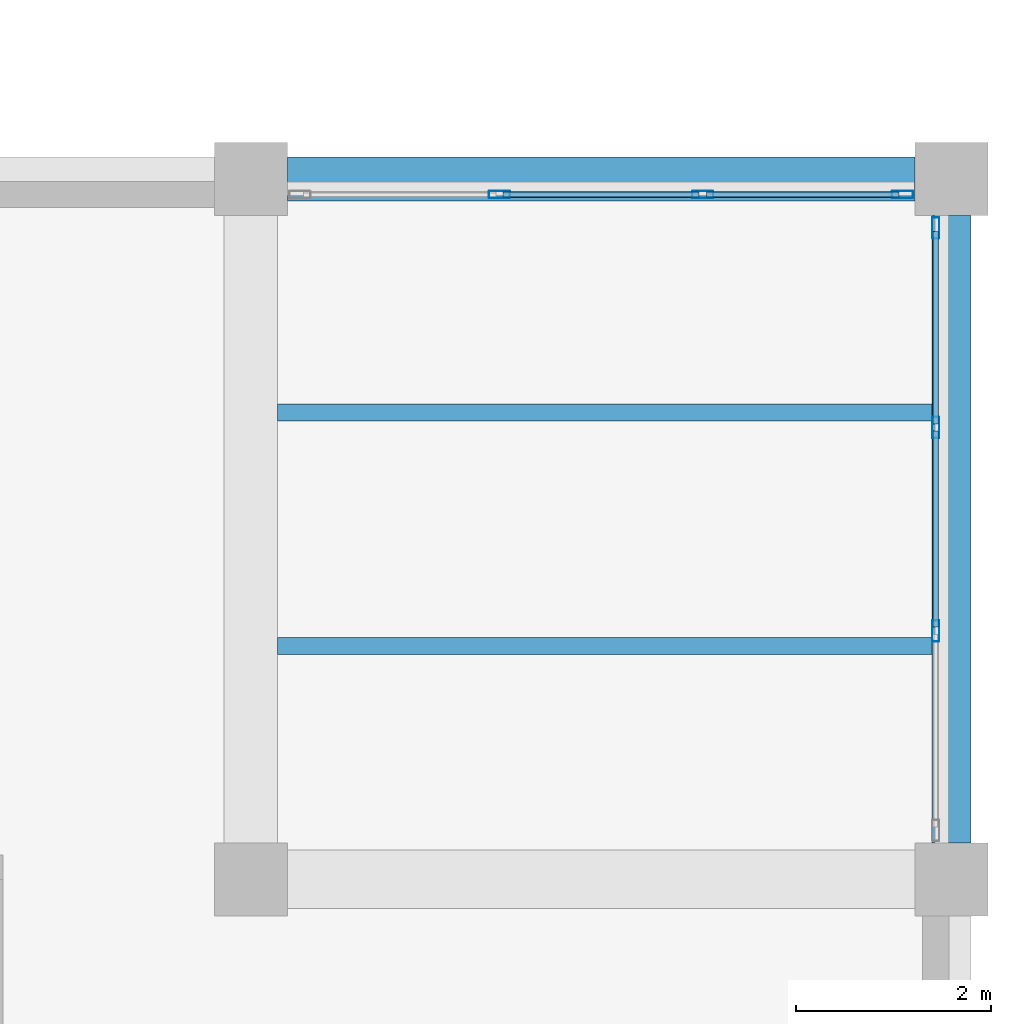
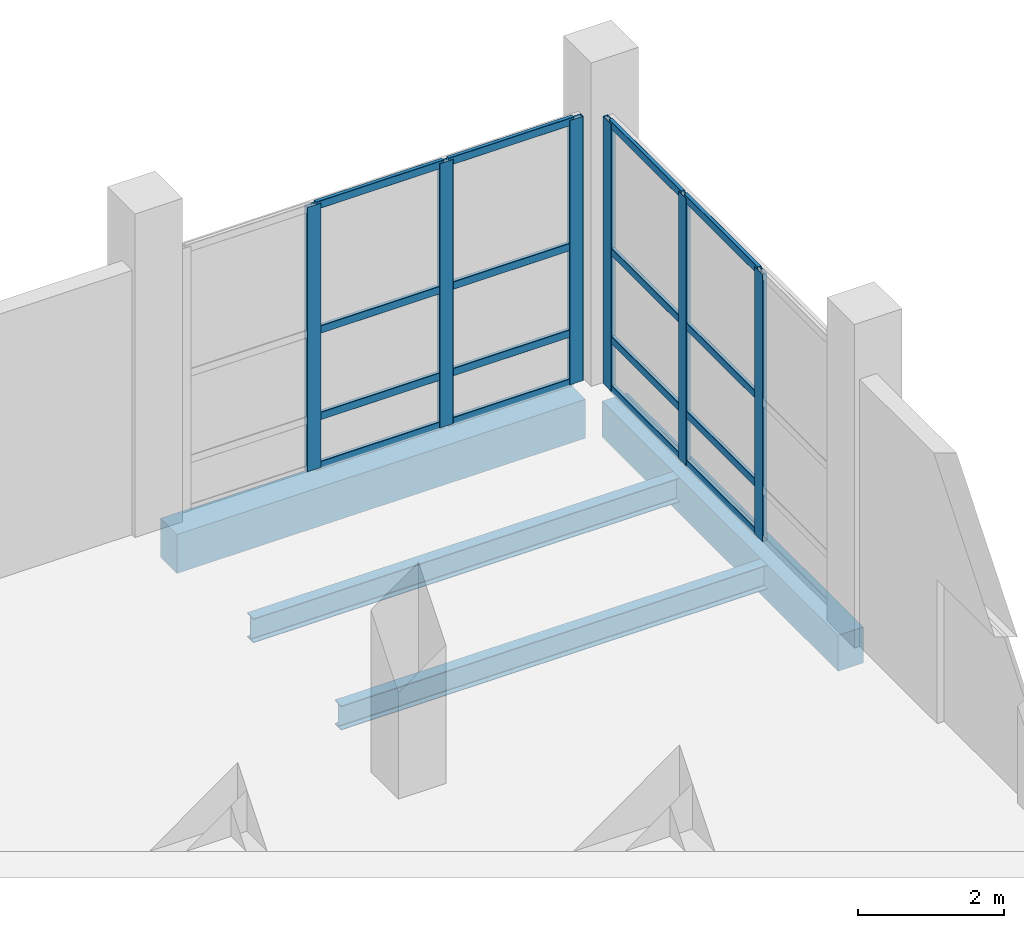
# One storey, part 84 of 137: 22 members, 4 beams, 2 elements without a shape of their own.
"""IFC4 building model written with IfcOpenShell, lengths in metres."""

from ifc_helpers import new_model, si_unit, direction, frame, origin, origin_2d, place, context, subcontext, project, spatial, rectangle, hollow_rectangle, i_section, extrude, material, material_profile, profile_set, type_object, element, aggregate, save


model = new_model("IFC4")

# Units and contexts
model_context = context("Model", 3, precision=1e-05, world=origin(), true_north=direction((0.0, 1.0)))
body_context = subcontext(model_context, "Body", "Model", "MODEL_VIEW")
ifc_project = project(units=[si_unit("LENGTHUNIT", "METRE"), si_unit("AREAUNIT", "SQUARE_METRE"), si_unit("VOLUMEUNIT", "CUBIC_METRE"), si_unit("PLANEANGLEUNIT", "RADIAN"), si_unit("MASSUNIT", "GRAM", prefix="KILO")], contexts=[model_context])

# Site, building, storey
site_placement = place(None, origin())
site = spatial("IfcSite", under=ifc_project, at=site_placement, CompositionType="ELEMENT")
building_placement = place(site_placement, origin())
building = spatial("IfcBuilding", under=site, at=building_placement, Name="Kalmorath City Hall", CompositionType="ELEMENT")
storey_placement = place(building_placement, origin())
storey = spatial("IfcBuildingStorey", under=building, at=storey_placement, Name="L00", CompositionType="ELEMENT", Elevation=0.0)

# Beams
ifc_material_1 = material(Name="Concrete C40/50", Category="concrete")
ifc_material_profile_1 = material_profile(ifc_material_1, rectangle(XDim=0.39990234375, YDim=0.60009765625, at=origin_2d()), Name="RC-BM-400X600")
ifc_profile_set_1 = profile_set([ifc_material_profile_1], Name="Concrete C40/50")
beam_type_1 = type_object("IfcBeamType", Name="Concrete edge beam 400x600", PredefinedType="SPANDREL", material=ifc_profile_set_1)
beam_1_placement = place(storey_placement, frame((165.60009765625, 93.97509765625, -0.60400390625), z_axis=(0.0, 1.0, 0.0), x_axis=(-1.0, 0.0, 0.0)))
element("IfcBeam", 1, at=beam_1_placement, inside=storey, type_object=beam_type_1, Name="L00 girder CB6 Y24/14-15", PredefinedType="SPANDREL", context=body_context, shape_type="SweptSolid", body=[
    extrude(rectangle(XDim=0.39990234375, YDim=0.60009765625, at=origin_2d()), origin(), (0.0, 0.0, 1.0), 6.449951171875),
])
ifc_material_2 = material(Name="Concrete C40/50", Category="concrete")
ifc_material_profile_2 = material_profile(ifc_material_2, rectangle(XDim=0.449951171875, YDim=0.64990234375, at=origin_2d()), Name="RC-BM-450X650")
ifc_profile_set_2 = profile_set([ifc_material_profile_2], Name="Concrete C40/50")
beam_type_2 = type_object("IfcBeamType", Name="Concrete spandrel beam 450x650", PredefinedType="SPANDREL", material=ifc_profile_set_2)
beam_2_placement = place(storey_placement, frame((158.77490234375, 100.800048828125, -0.62890625), z_axis=(1.0, 0.0, 0.0), x_axis=(0.0, 1.0, 0.0)))
element("IfcBeam", 2, at=beam_2_placement, inside=storey, type_object=beam_type_2, Name="L00 girder CB5 X23-24/15", PredefinedType="SPANDREL", context=body_context, shape_type="SweptSolid", body=[
    extrude(rectangle(XDim=0.449951171875, YDim=0.64990234375, at=origin_2d()), origin(), (0.0, 0.0, 1.0), 6.4501953125),
])

# Curtain wall, members
ifc_material_3 = material(Name="Anodised aluminium and laminated glass", Category="aluminium")
curtain_wall_type_1 = type_object("IfcCurtainWallType", Name="Unitised hurricane curtain wall 6270x4411 M1850", PredefinedType="NOTDEFINED", material=ifc_material_3)
curtain_wall_1_placement = place(storey_placement, origin())
curtain_wall_1 = element("IfcCurtainWall", 3, at=curtain_wall_1_placement, inside=storey, type_object=curtain_wall_type_1, Name="L00 curtain wall CW-63X44M18 #4", PredefinedType="NOTDEFINED")
ifc_material_4 = material(Name="Anodised aluminium framing", Category="aluminium")
ifc_material_profile_3 = material_profile(ifc_material_4, hollow_rectangle(XDim=0.06005859375, YDim=0.1298828125, WallThickness=0.00341796875, InnerFilletRadius=0.00341796875, OuterFilletRadius=0.007080078125, at=origin_2d()), Name="ALU-TRN-130X60X3.5")
ifc_profile_set_3 = profile_set([ifc_material_profile_3], Name="Anodised aluminium framing")
member_type_1 = type_object("IfcMemberType", Name="Curtain-wall courtyard transom 130x60", PredefinedType="USERDEFINED", material=ifc_profile_set_3)
member_1_placement = place(storey_placement, frame((160.992431640625, 100.639892578125, 0.030029296875), z_axis=(1.0, 0.0, 0.0), x_axis=(0.0, 1.0, 0.0)))
member_1 = element("IfcMember", 4, at=member_1_placement, type_object=member_type_1, Name="CW-63X44M18 transom 2.1", ObjectType="TRANSOM", PredefinedType="USERDEFINED", context=body_context, shape_type="SweptSolid", body=[
    extrude(hollow_rectangle(XDim=0.06005859375, YDim=0.1298828125, WallThickness=0.00341796875, InnerFilletRadius=0.00341796875, OuterFilletRadius=0.007080078125, at=origin_2d()), origin(), (0.0, 0.0, 1.0), 2.01513671875),
])
member_2_placement = place(storey_placement, frame((160.992431640625, 100.639892578125, 0.85009765625), z_axis=(1.0, 0.0, 0.0), x_axis=(0.0, 1.0, 0.0)))
member_2 = element("IfcMember", 5, at=member_2_placement, type_object=member_type_1, Name="CW-63X44M18 transom 2.2", ObjectType="TRANSOM", PredefinedType="USERDEFINED", context=body_context, shape_type="SweptSolid", body=[
    extrude(hollow_rectangle(XDim=0.06005859375, YDim=0.1298828125, WallThickness=0.00341796875, InnerFilletRadius=0.00341796875, OuterFilletRadius=0.007080078125, at=origin_2d()), origin(), (0.0, 0.0, 1.0), 2.01513671875),
])
member_3_placement = place(storey_placement, frame((160.992431640625, 100.639892578125, 2.2939453125), z_axis=(1.0, 0.0, 0.0), x_axis=(0.0, 1.0, 0.0)))
member_3 = element("IfcMember", 6, at=member_3_placement, type_object=member_type_1, Name="CW-63X44M18 transom 2.3", ObjectType="TRANSOM", PredefinedType="USERDEFINED", context=body_context, shape_type="SweptSolid", body=[
    extrude(hollow_rectangle(XDim=0.06005859375, YDim=0.1298828125, WallThickness=0.00341796875, InnerFilletRadius=0.00341796875, OuterFilletRadius=0.007080078125, at=origin_2d()), origin(), (0.0, 0.0, 1.0), 2.01513671875),
])
member_4_placement = place(storey_placement, frame((160.992431640625, 100.639892578125, 4.381103515625), z_axis=(1.0, 0.0, 0.0), x_axis=(0.0, 1.0, 0.0)))
member_4 = element("IfcMember", 7, at=member_4_placement, type_object=member_type_1, Name="CW-63X44M18 transom 2.4", ObjectType="TRANSOM", PredefinedType="USERDEFINED", context=body_context, shape_type="SweptSolid", body=[
    extrude(hollow_rectangle(XDim=0.06005859375, YDim=0.1298828125, WallThickness=0.00341796875, InnerFilletRadius=0.00341796875, OuterFilletRadius=0.007080078125, at=origin_2d()), origin(), (0.0, 0.0, 1.0), 2.01513671875),
])
member_5_placement = place(storey_placement, frame((163.08251953125, 100.639892578125, 0.030029296875), z_axis=(1.0, 0.0, 0.0), x_axis=(0.0, 1.0, 0.0)))
member_5 = element("IfcMember", 8, at=member_5_placement, type_object=member_type_1, Name="CW-63X44M18 transom 3.1", ObjectType="TRANSOM", PredefinedType="USERDEFINED", context=body_context, shape_type="SweptSolid", body=[
    extrude(hollow_rectangle(XDim=0.06005859375, YDim=0.1298828125, WallThickness=0.00341796875, InnerFilletRadius=0.00341796875, OuterFilletRadius=0.007080078125, at=origin_2d()), origin(), (0.0, 0.0, 1.0), 1.9775390625),
])
member_6_placement = place(storey_placement, frame((163.08251953125, 100.639892578125, 0.85009765625), z_axis=(1.0, 0.0, 0.0), x_axis=(0.0, 1.0, 0.0)))
member_6 = element("IfcMember", 9, at=member_6_placement, type_object=member_type_1, Name="CW-63X44M18 transom 3.2", ObjectType="TRANSOM", PredefinedType="USERDEFINED", context=body_context, shape_type="SweptSolid", body=[
    extrude(hollow_rectangle(XDim=0.06005859375, YDim=0.1298828125, WallThickness=0.00341796875, InnerFilletRadius=0.00341796875, OuterFilletRadius=0.007080078125, at=origin_2d()), origin(), (0.0, 0.0, 1.0), 1.9775390625),
])
member_7_placement = place(storey_placement, frame((163.08251953125, 100.639892578125, 2.2939453125), z_axis=(1.0, 0.0, 0.0), x_axis=(0.0, 1.0, 0.0)))
member_7 = element("IfcMember", 10, at=member_7_placement, type_object=member_type_1, Name="CW-63X44M18 transom 3.3", ObjectType="TRANSOM", PredefinedType="USERDEFINED", context=body_context, shape_type="SweptSolid", body=[
    extrude(hollow_rectangle(XDim=0.06005859375, YDim=0.1298828125, WallThickness=0.00341796875, InnerFilletRadius=0.00341796875, OuterFilletRadius=0.007080078125, at=origin_2d()), origin(), (0.0, 0.0, 1.0), 1.9775390625),
])
member_8_placement = place(storey_placement, frame((163.08251953125, 100.639892578125, 4.381103515625), z_axis=(1.0, 0.0, 0.0), x_axis=(0.0, 1.0, 0.0)))
member_8 = element("IfcMember", 11, at=member_8_placement, type_object=member_type_1, Name="CW-63X44M18 transom 3.4", ObjectType="TRANSOM", PredefinedType="USERDEFINED", context=body_context, shape_type="SweptSolid", body=[
    extrude(hollow_rectangle(XDim=0.06005859375, YDim=0.1298828125, WallThickness=0.00341796875, InnerFilletRadius=0.00341796875, OuterFilletRadius=0.007080078125, at=origin_2d()), origin(), (0.0, 0.0, 1.0), 1.9775390625),
])

ifc_material_5 = material(Name="Anodised aluminium and laminated glass", Category="aluminium")
curtain_wall_type_2 = type_object("IfcCurtainWallType", Name="Unitised hurricane curtain wall 6270x4461 M1850", PredefinedType="NOTDEFINED", material=ifc_material_5)
curtain_wall_2_placement = place(storey_placement, origin())
curtain_wall_2 = element("IfcCurtainWall", 12, at=curtain_wall_2_placement, inside=storey, type_object=curtain_wall_type_2, Name="L00 curtain wall CW-63X45M18 #5", PredefinedType="NOTDEFINED")
member_9_placement = place(storey_placement, frame((165.43994140625, 100.260009765625, 0.030029296875), z_axis=(0.0, -1.0, 0.0), x_axis=(1.0, 0.0, 0.0)))
member_9 = element("IfcMember", 13, at=member_9_placement, type_object=member_type_1, Name="CW-63X45M18 transom 1.1", ObjectType="TRANSOM", PredefinedType="USERDEFINED", context=body_context, shape_type="SweptSolid", body=[
    extrude(hollow_rectangle(XDim=0.06005859375, YDim=0.1298828125, WallThickness=0.00341796875, InnerFilletRadius=0.00341796875, OuterFilletRadius=0.007080078125, at=origin_2d()), origin(), (0.0, 0.0, 1.0), 1.9775390625),
])
member_10_placement = place(storey_placement, frame((165.43994140625, 100.260009765625, 0.85009765625), z_axis=(0.0, -1.0, 0.0), x_axis=(1.0, 0.0, 0.0)))
member_10 = element("IfcMember", 14, at=member_10_placement, type_object=member_type_1, Name="CW-63X45M18 transom 1.2", ObjectType="TRANSOM", PredefinedType="USERDEFINED", context=body_context, shape_type="SweptSolid", body=[
    extrude(hollow_rectangle(XDim=0.06005859375, YDim=0.1298828125, WallThickness=0.00341796875, InnerFilletRadius=0.00341796875, OuterFilletRadius=0.007080078125, at=origin_2d()), origin(), (0.0, 0.0, 1.0), 1.9775390625),
])
member_11_placement = place(storey_placement, frame((165.43994140625, 100.260009765625, 2.320068359375), z_axis=(0.0, -1.0, 0.0), x_axis=(1.0, 0.0, 0.0)))
member_11 = element("IfcMember", 15, at=member_11_placement, type_object=member_type_1, Name="CW-63X45M18 transom 1.3", ObjectType="TRANSOM", PredefinedType="USERDEFINED", context=body_context, shape_type="SweptSolid", body=[
    extrude(hollow_rectangle(XDim=0.06005859375, YDim=0.1298828125, WallThickness=0.00341796875, InnerFilletRadius=0.00341796875, OuterFilletRadius=0.007080078125, at=origin_2d()), origin(), (0.0, 0.0, 1.0), 1.9775390625),
])
member_12_placement = place(storey_placement, frame((165.43994140625, 100.260009765625, 4.430908203125), z_axis=(0.0, -1.0, 0.0), x_axis=(1.0, 0.0, 0.0)))
member_12 = element("IfcMember", 16, at=member_12_placement, type_object=member_type_1, Name="CW-63X45M18 transom 1.4", ObjectType="TRANSOM", PredefinedType="USERDEFINED", context=body_context, shape_type="SweptSolid", body=[
    extrude(hollow_rectangle(XDim=0.06005859375, YDim=0.1298828125, WallThickness=0.00341796875, InnerFilletRadius=0.00341796875, OuterFilletRadius=0.007080078125, at=origin_2d()), origin(), (0.0, 0.0, 1.0), 1.9775390625),
])
member_13_placement = place(storey_placement, frame((165.43994140625, 98.20751953125, 0.030029296875), z_axis=(0.0, -1.0, 0.0), x_axis=(1.0, 0.0, 0.0)))
member_13 = element("IfcMember", 17, at=member_13_placement, type_object=member_type_1, Name="CW-63X45M18 transom 2.1", ObjectType="TRANSOM", PredefinedType="USERDEFINED", context=body_context, shape_type="SweptSolid", body=[
    extrude(hollow_rectangle(XDim=0.06005859375, YDim=0.1298828125, WallThickness=0.00341796875, InnerFilletRadius=0.00341796875, OuterFilletRadius=0.007080078125, at=origin_2d()), origin(), (0.0, 0.0, 1.0), 2.01513671875),
])
member_14_placement = place(storey_placement, frame((165.43994140625, 98.20751953125, 0.85009765625), z_axis=(0.0, -1.0, 0.0), x_axis=(1.0, 0.0, 0.0)))
member_14 = element("IfcMember", 18, at=member_14_placement, type_object=member_type_1, Name="CW-63X45M18 transom 2.2", ObjectType="TRANSOM", PredefinedType="USERDEFINED", context=body_context, shape_type="SweptSolid", body=[
    extrude(hollow_rectangle(XDim=0.06005859375, YDim=0.1298828125, WallThickness=0.00341796875, InnerFilletRadius=0.00341796875, OuterFilletRadius=0.007080078125, at=origin_2d()), origin(), (0.0, 0.0, 1.0), 2.01513671875),
])
member_15_placement = place(storey_placement, frame((165.43994140625, 98.20751953125, 2.320068359375), z_axis=(0.0, -1.0, 0.0), x_axis=(1.0, 0.0, 0.0)))
member_15 = element("IfcMember", 19, at=member_15_placement, type_object=member_type_1, Name="CW-63X45M18 transom 2.3", ObjectType="TRANSOM", PredefinedType="USERDEFINED", context=body_context, shape_type="SweptSolid", body=[
    extrude(hollow_rectangle(XDim=0.06005859375, YDim=0.1298828125, WallThickness=0.00341796875, InnerFilletRadius=0.00341796875, OuterFilletRadius=0.007080078125, at=origin_2d()), origin(), (0.0, 0.0, 1.0), 2.01513671875),
])
member_16_placement = place(storey_placement, frame((165.43994140625, 98.20751953125, 4.430908203125), z_axis=(0.0, -1.0, 0.0), x_axis=(1.0, 0.0, 0.0)))
member_16 = element("IfcMember", 20, at=member_16_placement, type_object=member_type_1, Name="CW-63X45M18 transom 2.4", ObjectType="TRANSOM", PredefinedType="USERDEFINED", context=body_context, shape_type="SweptSolid", body=[
    extrude(hollow_rectangle(XDim=0.06005859375, YDim=0.1298828125, WallThickness=0.00341796875, InnerFilletRadius=0.00341796875, OuterFilletRadius=0.007080078125, at=origin_2d()), origin(), (0.0, 0.0, 1.0), 2.01513671875),
])

# Member
ifc_material_6 = material(Name="Anodised aluminium framing", Category="aluminium")
ifc_material_profile_4 = material_profile(ifc_material_6, hollow_rectangle(XDim=0.074951171875, YDim=0.219970703125, WallThickness=0.00390625, InnerFilletRadius=0.00390625, OuterFilletRadius=0.008056640625, at=origin_2d()), Name="ALU-MUL-220X75X4")
ifc_profile_set_4 = profile_set([ifc_material_profile_4], Name="Anodised aluminium framing")
member_type_2 = type_object("IfcMemberType", Name="Curtain-wall primary mullion 220x75", PredefinedType="MULLION", material=ifc_profile_set_4)
member_17_placement = place(storey_placement, frame((160.955078125, 100.639892578125, 0.0), z_axis=(0.0, 0.0, 1.0), x_axis=(0.0, 1.0, 0.0)))
member_17 = element("IfcMember", 21, at=member_17_placement, type_object=member_type_2, Name="CW-63X44M18 mullion 2", PredefinedType="MULLION", context=body_context, shape_type="SweptSolid", body=[
    extrude(hollow_rectangle(XDim=0.074951171875, YDim=0.219970703125, WallThickness=0.00390625, InnerFilletRadius=0.00390625, OuterFilletRadius=0.008056640625, at=origin_2d()), origin(), (0.0, 0.0, 1.0), 4.410888671875),
])

member_18_placement = place(storey_placement, frame((163.044921875, 100.639892578125, 0.0), z_axis=(0.0, 0.0, 1.0), x_axis=(0.0, 1.0, 0.0)))
member_18 = element("IfcMember", 22, at=member_18_placement, type_object=member_type_2, Name="CW-63X44M18 mullion 3", PredefinedType="MULLION", context=body_context, shape_type="SweptSolid", body=[
    extrude(hollow_rectangle(XDim=0.074951171875, YDim=0.219970703125, WallThickness=0.00390625, InnerFilletRadius=0.00390625, OuterFilletRadius=0.008056640625, at=origin_2d()), origin(), (0.0, 0.0, 1.0), 4.410888671875),
])

member_19_placement = place(storey_placement, frame((165.097412109375, 100.639892578125, 0.0), z_axis=(0.0, 0.0, 1.0), x_axis=(0.0, 1.0, 0.0)))
member_19 = element("IfcMember", 23, at=member_19_placement, type_object=member_type_2, Name="CW-63X44M18 mullion 4", PredefinedType="MULLION", context=body_context, shape_type="SweptSolid", body=[
    extrude(hollow_rectangle(XDim=0.074951171875, YDim=0.219970703125, WallThickness=0.00390625, InnerFilletRadius=0.00390625, OuterFilletRadius=0.008056640625, at=origin_2d()), origin(), (0.0, 0.0, 1.0), 4.410888671875),
])

aggregate(curtain_wall_1, [member_17, member_18, member_19, member_1, member_2, member_3, member_4, member_5, member_6, member_7, member_8])

member_20_placement = place(storey_placement, frame((165.43994140625, 100.297607421875, 0.0), z_axis=(0.0, 0.0, 1.0), x_axis=(1.0, 0.0, 0.0)))
member_20 = element("IfcMember", 24, at=member_20_placement, type_object=member_type_2, Name="CW-63X45M18 mullion 1", PredefinedType="MULLION", context=body_context, shape_type="SweptSolid", body=[
    extrude(hollow_rectangle(XDim=0.074951171875, YDim=0.219970703125, WallThickness=0.00390625, InnerFilletRadius=0.00390625, OuterFilletRadius=0.008056640625, at=origin_2d()), origin(), (0.0, 0.0, 1.0), 4.4609375),
])

member_21_placement = place(storey_placement, frame((165.43994140625, 98.2451171875, 0.0), z_axis=(0.0, 0.0, 1.0), x_axis=(1.0, 0.0, 0.0)))
member_21 = element("IfcMember", 25, at=member_21_placement, type_object=member_type_2, Name="CW-63X45M18 mullion 2", PredefinedType="MULLION", context=body_context, shape_type="SweptSolid", body=[
    extrude(hollow_rectangle(XDim=0.074951171875, YDim=0.219970703125, WallThickness=0.00390625, InnerFilletRadius=0.00390625, OuterFilletRadius=0.008056640625, at=origin_2d()), origin(), (0.0, 0.0, 1.0), 4.4609375),
])

member_22_placement = place(storey_placement, frame((165.43994140625, 96.155029296875, 0.0), z_axis=(0.0, 0.0, 1.0), x_axis=(1.0, 0.0, 0.0)))
member_22 = element("IfcMember", 26, at=member_22_placement, type_object=member_type_2, Name="CW-63X45M18 mullion 3", PredefinedType="MULLION", context=body_context, shape_type="SweptSolid", body=[
    extrude(hollow_rectangle(XDim=0.074951171875, YDim=0.219970703125, WallThickness=0.00390625, InnerFilletRadius=0.00390625, OuterFilletRadius=0.008056640625, at=origin_2d()), origin(), (0.0, 0.0, 1.0), 4.4609375),
])

aggregate(curtain_wall_2, [member_20, member_21, member_22, member_9, member_10, member_11, member_12, member_13, member_14, member_15, member_16])

# Beams
ifc_material_7 = material(Name="Steel ASTM A992 Grade 50", Category="steel")
ifc_material_profile_5 = material_profile(ifc_material_7, i_section(OverallWidth=0.177001953125, OverallDepth=0.403076171875, WebThickness=0.007568359375, FlangeThickness=0.010986328125, FilletRadius=0.012939453125, at=origin_2d()), Name="W16X36")
ifc_profile_set_5 = profile_set([ifc_material_profile_5], Name="Steel ASTM A992 Grade 50")
beam_type_3 = type_object("IfcBeamType", Name="Steel composite joist W16X36", PredefinedType="JOIST", material=ifc_profile_set_5)
for number, where, z_axis, x_axis, name in (
    (27, (158.675048828125, 96.0, -0.505615234375), (1.0, 0.0, 0.0), (0.0, 1.0, 0.0), "L00 joist SJ7 23.14.1"),
    (28, (158.675048828125, 98.39990234375, -0.505615234375), (1.0, 0.0, 0.0), (0.0, 1.0, 0.0), "L00 joist SJ7 23.14.2"),
):
    element("IfcBeam", number, at=place(storey_placement, frame(where, z_axis=z_axis, x_axis=x_axis)), inside=storey, type_object=beam_type_3, Name=name, PredefinedType="JOIST", context=body_context, shape_type="SweptSolid", body=[
        extrude(i_section(OverallWidth=0.177001953125, OverallDepth=0.403076171875, WebThickness=0.007568359375, FlangeThickness=0.010986328125, FilletRadius=0.012939453125, at=origin_2d()), origin(), (0.0, 0.0, 1.0), 6.724853515625),
    ])

save(model, "model.ifc")
